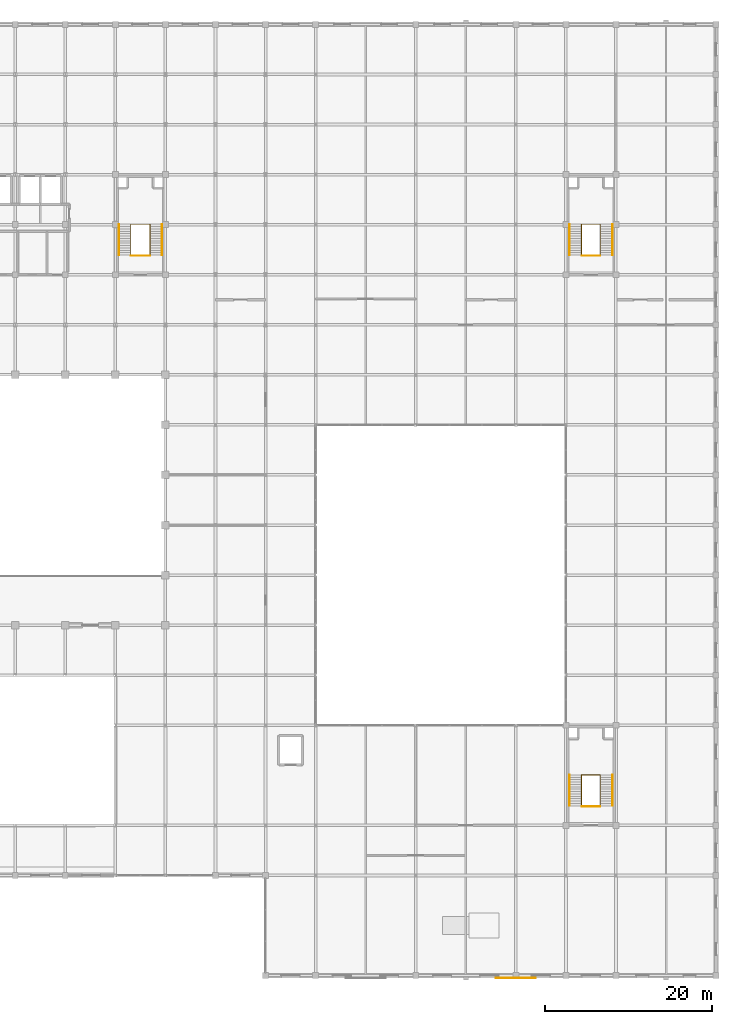
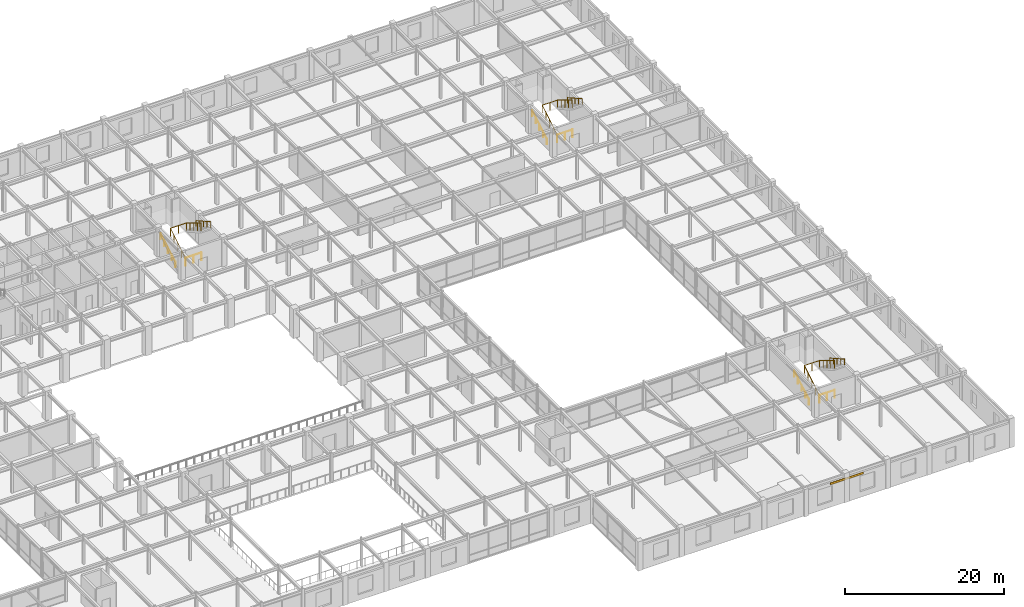
# One storey, part 108 of 108: 12 railings, 1 covering.
"""IFC4 building model written with IfcOpenShell, lengths in metres."""

from ifc_helpers import new_model, si_unit, direction, frame, origin, origin_2d, place, context, subcontext, project, spatial, rectangle, circle, extrude, material, layer, layer_set, type_object, element, save


model = new_model("IFC4")

# Units and contexts
model_context = context("Model", 3, precision=1e-05, world=origin(), true_north=direction((0.0, 1.0)))
body_context = subcontext(model_context, "Body", "Model", "MODEL_VIEW")
ifc_project = project(units=[si_unit("LENGTHUNIT", "METRE"), si_unit("AREAUNIT", "SQUARE_METRE"), si_unit("VOLUMEUNIT", "CUBIC_METRE"), si_unit("PLANEANGLEUNIT", "RADIAN"), si_unit("MASSUNIT", "GRAM", prefix="KILO")], contexts=[model_context])

# Site, building, storey
site_placement = place(None, origin())
site = spatial("IfcSite", under=ifc_project, at=site_placement, CompositionType="ELEMENT")
building_placement = place(site_placement, origin())
building = spatial("IfcBuilding", under=site, at=building_placement, Name="Zlatovratsky Civic Hall", CompositionType="ELEMENT")
storey_placement = place(building_placement, frame((0.0, 0.0, 12.0)))
storey = spatial("IfcBuildingStorey", under=building, at=storey_placement, Name="L03", CompositionType="ELEMENT", Elevation=12.0)

# Covering
ifc_material_1 = material(Name="Podolsk limestone ashlar", Category="masonry")
ifc_layer = layer(ifc_material_1, 0.054931640625)
ifc_layer_set = layer_set([ifc_layer], Name="Podolsk limestone ashlar")
covering_type = type_object("IfcCoveringType", Name="Covering_CorniceCladding_55", PredefinedType="CLADDING", material=ifc_layer_set)
covering_placement = place(storey_placement, frame((144.0, -0.297607421875, 3.47021484375), z_axis=(0.0, 0.0, 1.0), x_axis=(1.0, 0.0, 0.0)))
element("IfcCovering", 1, at=covering_placement, inside=storey, type_object=covering_type, Name="CLD-012", PredefinedType="CLADDING", context=body_context, shape_type="SweptSolid", body=[
    extrude(rectangle(XDim=4.800048828125, YDim=0.054931640625, at=origin_2d()), origin(), (0.0, 0.0, 1.0), 0.300048828125),
])

# Railings
ifc_material_2 = material(Name="Brushed stainless steel AISI 304", Category="steel")
railing_type_1 = type_object("IfcRailingType", Name="Railing_Guardrail_1200", PredefinedType="GUARDRAIL", material=ifc_material_2)
railing_1_placement = place(storey_placement, frame((97.840087890625, 86.35009765625, 0.0)))
element("IfcRailing", 2, at=railing_1_placement, inside=storey, type_object=railing_type_1, Name="RL-0588", PredefinedType="GUARDRAIL", context=body_context, shape_type="SweptSolid", body=[
    extrude(circle(Radius=0.02392578125, at=origin_2d()), frame((0.0, 0.0, 1.17578125), z_axis=(0.0, 0.854722365387, 0.519085424673), x_axis=(-1.0, 0.0, 0.0)), (0.0, 0.0, 1.0), 4.33447265625),
    extrude(circle(Radius=0.02392578125, at=origin_2d()), frame((0.0, 3.704833984375, 3.42578125), z_axis=(1.0, 0.0, 0.0), x_axis=(0.0, 1.0, 0.0)), (0.0, 0.0, 1.0), 2.31982421875),
    extrude(circle(Radius=0.02392578125, at=origin_2d()), frame((2.31982421875, 3.704833984375, 3.42578125), z_axis=(0.0, -0.854722365387, 0.519085424673), x_axis=(1.0, 0.0, 0.0)), (0.0, 0.0, 1.0), 4.33447265625),
    extrude(circle(Radius=0.02099609375, at=origin_2d()), origin(), (0.0, 0.0, 1.0), 1.15185546875),
    extrude(circle(Radius=0.02099609375, at=origin_2d()), frame((0.0, 0.92626953125, 0.5625)), (0.0, 0.0, 1.0), 1.15185546875),
    extrude(circle(Radius=0.02099609375, at=origin_2d()), frame((0.0, 1.8525390625, 1.125)), (0.0, 0.0, 1.0), 1.15185546875),
    extrude(circle(Radius=0.02099609375, at=origin_2d()), frame((0.0, 2.778564453125, 1.6875)), (0.0, 0.0, 1.0), 1.15185546875),
    extrude(circle(Radius=0.02099609375, at=origin_2d()), frame((0.0, 3.704833984375, 2.25)), (0.0, 0.0, 1.0), 1.15185546875),
    extrude(circle(Radius=0.02099609375, at=origin_2d()), frame((1.159912109375, 3.704833984375, 2.25)), (0.0, 0.0, 1.0), 1.15185546875),
    extrude(circle(Radius=0.02099609375, at=origin_2d()), frame((2.31982421875, 3.704833984375, 2.25)), (0.0, 0.0, 1.0), 1.15185546875),
    extrude(circle(Radius=0.02099609375, at=origin_2d()), frame((2.31982421875, 2.778564453125, 2.8125)), (0.0, 0.0, 1.0), 1.15185546875),
    extrude(circle(Radius=0.02099609375, at=origin_2d()), frame((2.31982421875, 1.8525390625, 3.375)), (0.0, 0.0, 1.0), 1.15185546875),
    extrude(circle(Radius=0.02099609375, at=origin_2d()), frame((2.31982421875, 0.92626953125, 3.9375)), (0.0, 0.0, 1.0), 1.15185546875),
    extrude(circle(Radius=0.02099609375, at=origin_2d()), frame((2.31982421875, 0.0, 4.5)), (0.0, 0.0, 1.0), 1.15185546875),
])
railing_2_placement = place(storey_placement, frame((97.840087890625, 86.27001953125, 0.0)))
element("IfcRailing", 3, at=railing_2_placement, inside=storey, type_object=railing_type_1, Name="RL-0591", PredefinedType="GUARDRAIL", context=body_context, shape_type="SweptSolid", body=[
    extrude(circle(Radius=0.02392578125, at=origin_2d()), frame((0.0, 0.0, 1.17578125), z_axis=(1.0, 0.0, 0.0), x_axis=(0.0, 1.0, 0.0)), (0.0, 0.0, 1.0), 2.31982421875),
    extrude(circle(Radius=0.02099609375, at=origin_2d()), origin(), (0.0, 0.0, 1.0), 1.15185546875),
    extrude(circle(Radius=0.02099609375, at=origin_2d()), frame((1.159912109375, 0.0, 0.0)), (0.0, 0.0, 1.0), 1.15185546875),
    extrude(circle(Radius=0.02099609375, at=origin_2d()), frame((2.31982421875, 0.0, 0.0)), (0.0, 0.0, 1.0), 1.15185546875),
])
railing_3_placement = place(storey_placement, frame((151.889892578125, 20.35009765625, 0.0)))
element("IfcRailing", 4, at=railing_3_placement, inside=storey, type_object=railing_type_1, Name="RL-0676", PredefinedType="GUARDRAIL", context=body_context, shape_type="SweptSolid", body=[
    extrude(circle(Radius=0.02392578125, at=origin_2d()), frame((0.0, 0.0, 1.17578125), z_axis=(0.0, 0.854722365387, 0.519085424673), x_axis=(-1.0, 0.0, 0.0)), (0.0, 0.0, 1.0), 4.33447265625),
    extrude(circle(Radius=0.02392578125, at=origin_2d()), frame((0.0, 3.704833984375, 3.42578125), z_axis=(1.0, 0.0, 0.0), x_axis=(0.0, 1.0, 0.0)), (0.0, 0.0, 1.0), 2.22021484375),
    extrude(circle(Radius=0.02392578125, at=origin_2d()), frame((2.22021484375, 3.704833984375, 3.42578125), z_axis=(0.0, -0.854722365387, 0.519085424673), x_axis=(1.0, 0.0, 0.0)), (0.0, 0.0, 1.0), 4.33447265625),
    extrude(circle(Radius=0.02099609375, at=origin_2d()), origin(), (0.0, 0.0, 1.0), 1.15185546875),
    extrude(circle(Radius=0.02099609375, at=origin_2d()), frame((0.0, 0.92626953125, 0.5625)), (0.0, 0.0, 1.0), 1.15185546875),
    extrude(circle(Radius=0.02099609375, at=origin_2d()), frame((0.0, 1.8525390625, 1.125)), (0.0, 0.0, 1.0), 1.15185546875),
    extrude(circle(Radius=0.02099609375, at=origin_2d()), frame((0.0, 2.778564453125, 1.6875)), (0.0, 0.0, 1.0), 1.15185546875),
    extrude(circle(Radius=0.02099609375, at=origin_2d()), frame((0.0, 3.704833984375, 2.25)), (0.0, 0.0, 1.0), 1.15185546875),
    extrude(circle(Radius=0.02099609375, at=origin_2d()), frame((1.110107421875, 3.704833984375, 2.25)), (0.0, 0.0, 1.0), 1.15185546875),
    extrude(circle(Radius=0.02099609375, at=origin_2d()), frame((2.22021484375, 3.704833984375, 2.25)), (0.0, 0.0, 1.0), 1.15185546875),
    extrude(circle(Radius=0.02099609375, at=origin_2d()), frame((2.22021484375, 2.778564453125, 2.8125)), (0.0, 0.0, 1.0), 1.15185546875),
    extrude(circle(Radius=0.02099609375, at=origin_2d()), frame((2.22021484375, 1.8525390625, 3.375)), (0.0, 0.0, 1.0), 1.15185546875),
    extrude(circle(Radius=0.02099609375, at=origin_2d()), frame((2.22021484375, 0.92626953125, 3.9375)), (0.0, 0.0, 1.0), 1.15185546875),
    extrude(circle(Radius=0.02099609375, at=origin_2d()), frame((2.22021484375, 0.0, 4.5)), (0.0, 0.0, 1.0), 1.15185546875),
])
railing_4_placement = place(storey_placement, frame((151.889892578125, 20.27001953125, 0.0)))
element("IfcRailing", 5, at=railing_4_placement, inside=storey, type_object=railing_type_1, Name="RL-0679", PredefinedType="GUARDRAIL", context=body_context, shape_type="SweptSolid", body=[
    extrude(circle(Radius=0.02392578125, at=origin_2d()), frame((0.0, 0.0, 1.17578125), z_axis=(1.0, 0.0, 0.0), x_axis=(0.0, 1.0, 0.0)), (0.0, 0.0, 1.0), 2.22021484375),
    extrude(circle(Radius=0.02099609375, at=origin_2d()), origin(), (0.0, 0.0, 1.0), 1.15185546875),
    extrude(circle(Radius=0.02099609375, at=origin_2d()), frame((1.110107421875, 0.0, 0.0)), (0.0, 0.0, 1.0), 1.15185546875),
    extrude(circle(Radius=0.02099609375, at=origin_2d()), frame((2.22021484375, 0.0, 0.0)), (0.0, 0.0, 1.0), 1.15185546875),
])
railing_5_placement = place(storey_placement, frame((151.889892578125, 86.35009765625, 0.0)))
element("IfcRailing", 6, at=railing_5_placement, inside=storey, type_object=railing_type_1, Name="RL-0708", PredefinedType="GUARDRAIL", context=body_context, shape_type="SweptSolid", body=[
    extrude(circle(Radius=0.02392578125, at=origin_2d()), frame((0.0, 0.0, 1.17578125), z_axis=(0.0, 0.854722365387, 0.519085424673), x_axis=(-1.0, 0.0, 0.0)), (0.0, 0.0, 1.0), 4.33447265625),
    extrude(circle(Radius=0.02392578125, at=origin_2d()), frame((0.0, 3.704833984375, 3.42578125), z_axis=(1.0, 0.0, 0.0), x_axis=(0.0, 1.0, 0.0)), (0.0, 0.0, 1.0), 2.22021484375),
    extrude(circle(Radius=0.02392578125, at=origin_2d()), frame((2.22021484375, 3.704833984375, 3.42578125), z_axis=(0.0, -0.854722365387, 0.519085424673), x_axis=(1.0, 0.0, 0.0)), (0.0, 0.0, 1.0), 4.33447265625),
    extrude(circle(Radius=0.02099609375, at=origin_2d()), origin(), (0.0, 0.0, 1.0), 1.15185546875),
    extrude(circle(Radius=0.02099609375, at=origin_2d()), frame((0.0, 0.92626953125, 0.5625)), (0.0, 0.0, 1.0), 1.15185546875),
    extrude(circle(Radius=0.02099609375, at=origin_2d()), frame((0.0, 1.8525390625, 1.125)), (0.0, 0.0, 1.0), 1.15185546875),
    extrude(circle(Radius=0.02099609375, at=origin_2d()), frame((0.0, 2.778564453125, 1.6875)), (0.0, 0.0, 1.0), 1.15185546875),
    extrude(circle(Radius=0.02099609375, at=origin_2d()), frame((0.0, 3.704833984375, 2.25)), (0.0, 0.0, 1.0), 1.15185546875),
    extrude(circle(Radius=0.02099609375, at=origin_2d()), frame((1.110107421875, 3.704833984375, 2.25)), (0.0, 0.0, 1.0), 1.15185546875),
    extrude(circle(Radius=0.02099609375, at=origin_2d()), frame((2.22021484375, 3.704833984375, 2.25)), (0.0, 0.0, 1.0), 1.15185546875),
    extrude(circle(Radius=0.02099609375, at=origin_2d()), frame((2.22021484375, 2.778564453125, 2.8125)), (0.0, 0.0, 1.0), 1.15185546875),
    extrude(circle(Radius=0.02099609375, at=origin_2d()), frame((2.22021484375, 1.8525390625, 3.375)), (0.0, 0.0, 1.0), 1.15185546875),
    extrude(circle(Radius=0.02099609375, at=origin_2d()), frame((2.22021484375, 0.92626953125, 3.9375)), (0.0, 0.0, 1.0), 1.15185546875),
    extrude(circle(Radius=0.02099609375, at=origin_2d()), frame((2.22021484375, 0.0, 4.5)), (0.0, 0.0, 1.0), 1.15185546875),
])
railing_6_placement = place(storey_placement, frame((151.889892578125, 86.27001953125, 0.0)))
element("IfcRailing", 7, at=railing_6_placement, inside=storey, type_object=railing_type_1, Name="RL-0711", PredefinedType="GUARDRAIL", context=body_context, shape_type="SweptSolid", body=[
    extrude(circle(Radius=0.02392578125, at=origin_2d()), frame((0.0, 0.0, 1.17578125), z_axis=(1.0, 0.0, 0.0), x_axis=(0.0, 1.0, 0.0)), (0.0, 0.0, 1.0), 2.22021484375),
    extrude(circle(Radius=0.02099609375, at=origin_2d()), origin(), (0.0, 0.0, 1.0), 1.15185546875),
    extrude(circle(Radius=0.02099609375, at=origin_2d()), frame((1.110107421875, 0.0, 0.0)), (0.0, 0.0, 1.0), 1.15185546875),
    extrude(circle(Radius=0.02099609375, at=origin_2d()), frame((2.22021484375, 0.0, 0.0)), (0.0, 0.0, 1.0), 1.15185546875),
])
railing_type_2 = type_object("IfcRailingType", Name="Railing_Handrail_900", PredefinedType="HANDRAIL", material=ifc_material_2)
railing_7_placement = place(storey_placement, frame((96.429931640625, 86.35009765625, 0.160888671875)))
element("IfcRailing", 8, at=railing_7_placement, inside=storey, type_object=railing_type_2, Name="RL-0589", PredefinedType="HANDRAIL", context=body_context, shape_type="SweptSolid", body=[
    extrude(circle(Radius=0.02392578125, at=origin_2d()), frame((0.0, 0.0, 0.8759765625), z_axis=(0.0, 0.871058445265, 0.491179381623), x_axis=(-1.0, 0.0, 0.0)), (0.0, 0.0, 1.0), 4.253173828125),
    extrude(circle(Radius=0.02099609375, at=origin_2d()), origin(), (0.0, 0.0, 1.0), 0.851806640625),
    extrude(circle(Radius=0.02099609375, at=origin_2d()), frame((0.0, 0.92626953125, 0.522216796875)), (0.0, 0.0, 1.0), 0.851806640625),
    extrude(circle(Radius=0.02099609375, at=origin_2d()), frame((0.0, 1.8525390625, 1.04443359375)), (0.0, 0.0, 1.0), 0.851806640625),
    extrude(circle(Radius=0.02099609375, at=origin_2d()), frame((0.0, 2.778564453125, 1.56689453125)), (0.0, 0.0, 1.0), 0.851806640625),
    extrude(circle(Radius=0.02099609375, at=origin_2d()), frame((0.0, 3.704833984375, 2.089111328125)), (0.0, 0.0, 1.0), 0.851806640625),
])
railing_8_placement = place(storey_placement, frame((101.570068359375, 90.054931640625, 2.410888671875)))
element("IfcRailing", 9, at=railing_8_placement, inside=storey, type_object=railing_type_2, Name="RL-0590", PredefinedType="HANDRAIL", context=body_context, shape_type="SweptSolid", body=[
    extrude(circle(Radius=0.02392578125, at=origin_2d()), frame((0.0, 0.0, 0.8759765625), z_axis=(0.0, -0.871058445265, 0.491179381623), x_axis=(1.0, 0.0, 0.0)), (0.0, 0.0, 1.0), 4.253173828125),
    extrude(circle(Radius=0.02099609375, at=origin_2d()), origin(), (0.0, 0.0, 1.0), 0.851806640625),
    extrude(circle(Radius=0.02099609375, at=origin_2d()), frame((0.0, -0.92626953125, 0.522216796875)), (0.0, 0.0, 1.0), 0.851806640625),
    extrude(circle(Radius=0.02099609375, at=origin_2d()), frame((0.0, -1.8525390625, 1.04443359375)), (0.0, 0.0, 1.0), 0.851806640625),
    extrude(circle(Radius=0.02099609375, at=origin_2d()), frame((0.0, -2.778564453125, 1.56689453125)), (0.0, 0.0, 1.0), 0.851806640625),
    extrude(circle(Radius=0.02099609375, at=origin_2d()), frame((0.0, -3.704833984375, 2.089111328125)), (0.0, 0.0, 1.0), 0.851806640625),
])
railing_9_placement = place(storey_placement, frame((150.429931640625, 20.35009765625, 0.160888671875)))
element("IfcRailing", 10, at=railing_9_placement, inside=storey, type_object=railing_type_2, Name="RL-0677", PredefinedType="HANDRAIL", context=body_context, shape_type="SweptSolid", body=[
    extrude(circle(Radius=0.02392578125, at=origin_2d()), frame((0.0, 0.0, 0.8759765625), z_axis=(0.0, 0.871058445265, 0.491179381623), x_axis=(-1.0, 0.0, 0.0)), (0.0, 0.0, 1.0), 4.253173828125),
    extrude(circle(Radius=0.02099609375, at=origin_2d()), origin(), (0.0, 0.0, 1.0), 0.851806640625),
    extrude(circle(Radius=0.02099609375, at=origin_2d()), frame((0.0, 0.92626953125, 0.522216796875)), (0.0, 0.0, 1.0), 0.851806640625),
    extrude(circle(Radius=0.02099609375, at=origin_2d()), frame((0.0, 1.8525390625, 1.04443359375)), (0.0, 0.0, 1.0), 0.851806640625),
    extrude(circle(Radius=0.02099609375, at=origin_2d()), frame((0.0, 2.778564453125, 1.56689453125)), (0.0, 0.0, 1.0), 0.851806640625),
    extrude(circle(Radius=0.02099609375, at=origin_2d()), frame((0.0, 3.704833984375, 2.089111328125)), (0.0, 0.0, 1.0), 0.851806640625),
])
railing_10_placement = place(storey_placement, frame((155.570068359375, 24.054931640625, 2.410888671875)))
element("IfcRailing", 11, at=railing_10_placement, inside=storey, type_object=railing_type_2, Name="RL-0678", PredefinedType="HANDRAIL", context=body_context, shape_type="SweptSolid", body=[
    extrude(circle(Radius=0.02392578125, at=origin_2d()), frame((0.0, 0.0, 0.8759765625), z_axis=(0.0, -0.871058445265, 0.491179381623), x_axis=(1.0, 0.0, 0.0)), (0.0, 0.0, 1.0), 4.253173828125),
    extrude(circle(Radius=0.02099609375, at=origin_2d()), origin(), (0.0, 0.0, 1.0), 0.851806640625),
    extrude(circle(Radius=0.02099609375, at=origin_2d()), frame((0.0, -0.92626953125, 0.522216796875)), (0.0, 0.0, 1.0), 0.851806640625),
    extrude(circle(Radius=0.02099609375, at=origin_2d()), frame((0.0, -1.8525390625, 1.04443359375)), (0.0, 0.0, 1.0), 0.851806640625),
    extrude(circle(Radius=0.02099609375, at=origin_2d()), frame((0.0, -2.778564453125, 1.56689453125)), (0.0, 0.0, 1.0), 0.851806640625),
    extrude(circle(Radius=0.02099609375, at=origin_2d()), frame((0.0, -3.704833984375, 2.089111328125)), (0.0, 0.0, 1.0), 0.851806640625),
])
railing_11_placement = place(storey_placement, frame((150.429931640625, 86.35009765625, 0.160888671875)))
element("IfcRailing", 12, at=railing_11_placement, inside=storey, type_object=railing_type_2, Name="RL-0709", PredefinedType="HANDRAIL", context=body_context, shape_type="SweptSolid", body=[
    extrude(circle(Radius=0.02392578125, at=origin_2d()), frame((0.0, 0.0, 0.8759765625), z_axis=(0.0, 0.871058445265, 0.491179381623), x_axis=(-1.0, 0.0, 0.0)), (0.0, 0.0, 1.0), 4.253173828125),
    extrude(circle(Radius=0.02099609375, at=origin_2d()), origin(), (0.0, 0.0, 1.0), 0.851806640625),
    extrude(circle(Radius=0.02099609375, at=origin_2d()), frame((0.0, 0.92626953125, 0.522216796875)), (0.0, 0.0, 1.0), 0.851806640625),
    extrude(circle(Radius=0.02099609375, at=origin_2d()), frame((0.0, 1.8525390625, 1.04443359375)), (0.0, 0.0, 1.0), 0.851806640625),
    extrude(circle(Radius=0.02099609375, at=origin_2d()), frame((0.0, 2.778564453125, 1.56689453125)), (0.0, 0.0, 1.0), 0.851806640625),
    extrude(circle(Radius=0.02099609375, at=origin_2d()), frame((0.0, 3.704833984375, 2.089111328125)), (0.0, 0.0, 1.0), 0.851806640625),
])
railing_12_placement = place(storey_placement, frame((155.570068359375, 90.054931640625, 2.410888671875)))
element("IfcRailing", 13, at=railing_12_placement, inside=storey, type_object=railing_type_2, Name="RL-0710", PredefinedType="HANDRAIL", context=body_context, shape_type="SweptSolid", body=[
    extrude(circle(Radius=0.02392578125, at=origin_2d()), frame((0.0, 0.0, 0.8759765625), z_axis=(0.0, -0.871058445265, 0.491179381623), x_axis=(1.0, 0.0, 0.0)), (0.0, 0.0, 1.0), 4.253173828125),
    extrude(circle(Radius=0.02099609375, at=origin_2d()), origin(), (0.0, 0.0, 1.0), 0.851806640625),
    extrude(circle(Radius=0.02099609375, at=origin_2d()), frame((0.0, -0.92626953125, 0.522216796875)), (0.0, 0.0, 1.0), 0.851806640625),
    extrude(circle(Radius=0.02099609375, at=origin_2d()), frame((0.0, -1.8525390625, 1.04443359375)), (0.0, 0.0, 1.0), 0.851806640625),
    extrude(circle(Radius=0.02099609375, at=origin_2d()), frame((0.0, -2.778564453125, 1.56689453125)), (0.0, 0.0, 1.0), 0.851806640625),
    extrude(circle(Radius=0.02099609375, at=origin_2d()), frame((0.0, -3.704833984375, 2.089111328125)), (0.0, 0.0, 1.0), 0.851806640625),
])

save(model, "model.ifc")
